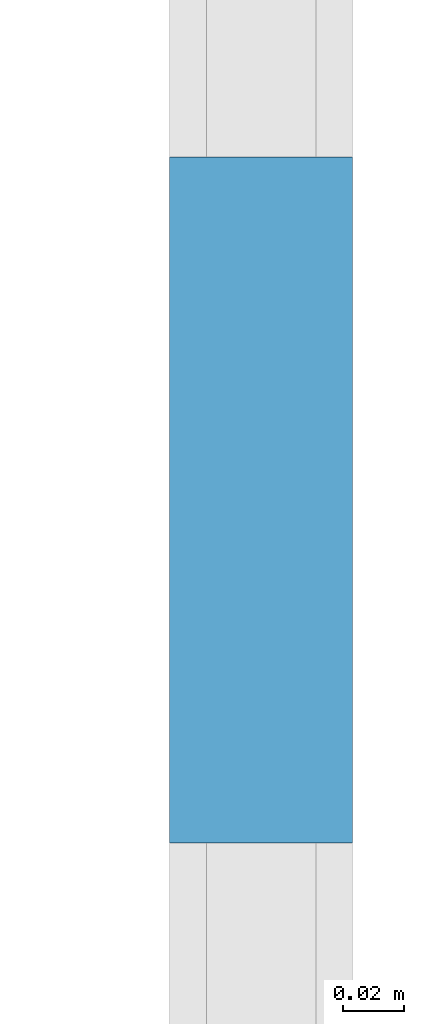
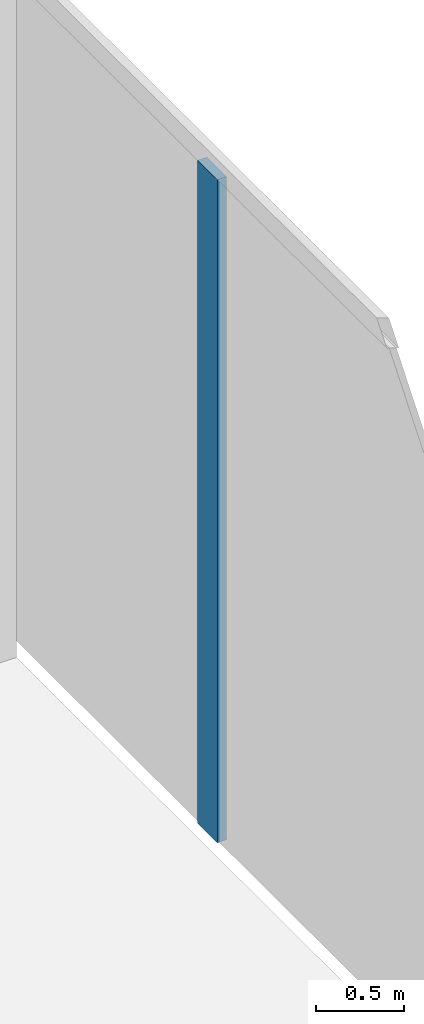
# One storey, part 18 of 47: 1 member, 1 element without a shape of its own.
"""IFC4 building model written with IfcOpenShell, lengths in metres."""

from ifc_helpers import new_model, si_unit, direction, frame, origin, origin_2d, place, context, subcontext, project, spatial, rectangle, extrude, material, layer, layer_set, material_profile, profile_set, type_object, element, aggregate, save


model = new_model("IFC4")

# Units and contexts
model_context = context("Model", 3, precision=1e-05, world=origin(), true_north=direction((0.0, 1.0)))
body_context = subcontext(model_context, "Body", "Model", "MODEL_VIEW")
ifc_project = project(units=[si_unit("LENGTHUNIT", "METRE"), si_unit("AREAUNIT", "SQUARE_METRE"), si_unit("VOLUMEUNIT", "CUBIC_METRE"), si_unit("PLANEANGLEUNIT", "RADIAN"), si_unit("MASSUNIT", "GRAM", prefix="KILO")], contexts=[model_context])

# Site, building, storey
site_placement = place(None, origin())
site = spatial("IfcSite", under=ifc_project, at=site_placement, CompositionType="ELEMENT")
building_placement = place(site_placement, origin())
building = spatial("IfcBuilding", under=site, at=building_placement, Name="Kheshtan School and Residences Tower", CompositionType="ELEMENT")
storey_placement = place(building_placement, frame((0.0, 0.0, 7.5)))
storey = spatial("IfcBuildingStorey", under=building, at=storey_placement, Name="L01", CompositionType="ELEMENT", Elevation=7.5)

# Curtain wall, member
ifc_material_1 = material(Name="Clear low-e glass in thermally broken aluminium frame", Category="aluminium")
ifc_layer = layer(ifc_material_1, 0.22509765625)
ifc_layer_set = layer_set([ifc_layer], Name="Curtain wall CW-P")
curtain_wall_type = type_object("IfcCurtainWallType", Name="Curtain wall CW-P", PredefinedType="NOTDEFINED", material=ifc_layer_set)
curtain_wall_placement = place(storey_placement, origin())
curtain_wall = element("IfcCurtainWall", 1, at=curtain_wall_placement, inside=storey, type_object=curtain_wall_type, Name="Curtain wall CWP8", PredefinedType="NOTDEFINED")
ifc_material_2 = material(Name="Thermally broken aluminium, dark bronze anodised", Category="aluminium")
ifc_material_profile = material_profile(ifc_material_2, rectangle(XDim=0.06005859375, YDim=0.22509765625, at=origin_2d()), Name="CW-P mullion 60x225")
ifc_profile_set = profile_set([ifc_material_profile], Name="Thermally broken aluminium, dark bronze anodised")
member_type = type_object("IfcMemberType", Name="CW-P mullion 60x225", PredefinedType="MULLION", material=ifc_profile_set)
member_placement = place(storey_placement, frame((132.10009765625, 76.622314453125, 0.0), z_axis=(0.0, 0.0, 1.0), x_axis=(1.0, 0.0, 0.0)))
member = element("IfcMember", 2, at=member_placement, type_object=member_type, Name="CWP8 mullion 6", PredefinedType="MULLION", context=body_context, shape_type="SweptSolid", body=[
    extrude(rectangle(XDim=0.06005859375, YDim=0.22509765625, at=origin_2d()), origin(), (0.0, 0.0, 1.0), 4.610107421875),
])
aggregate(curtain_wall, [member])

save(model, "model.ifc")
